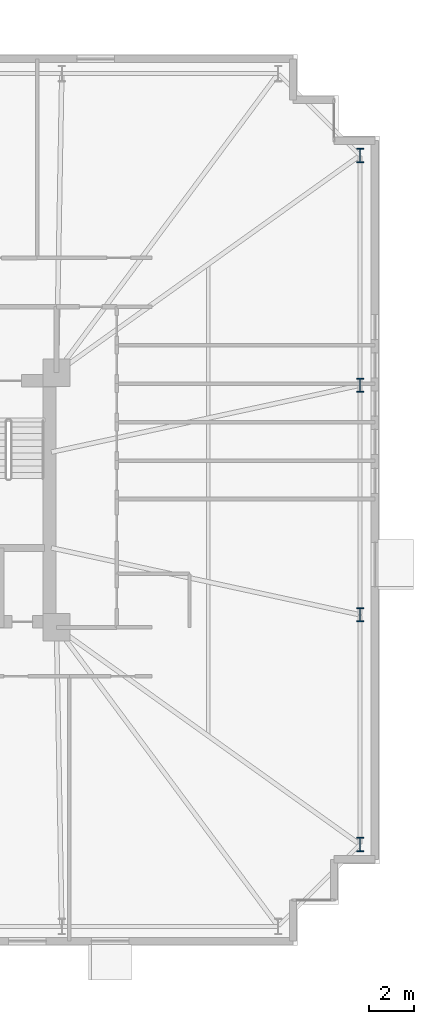
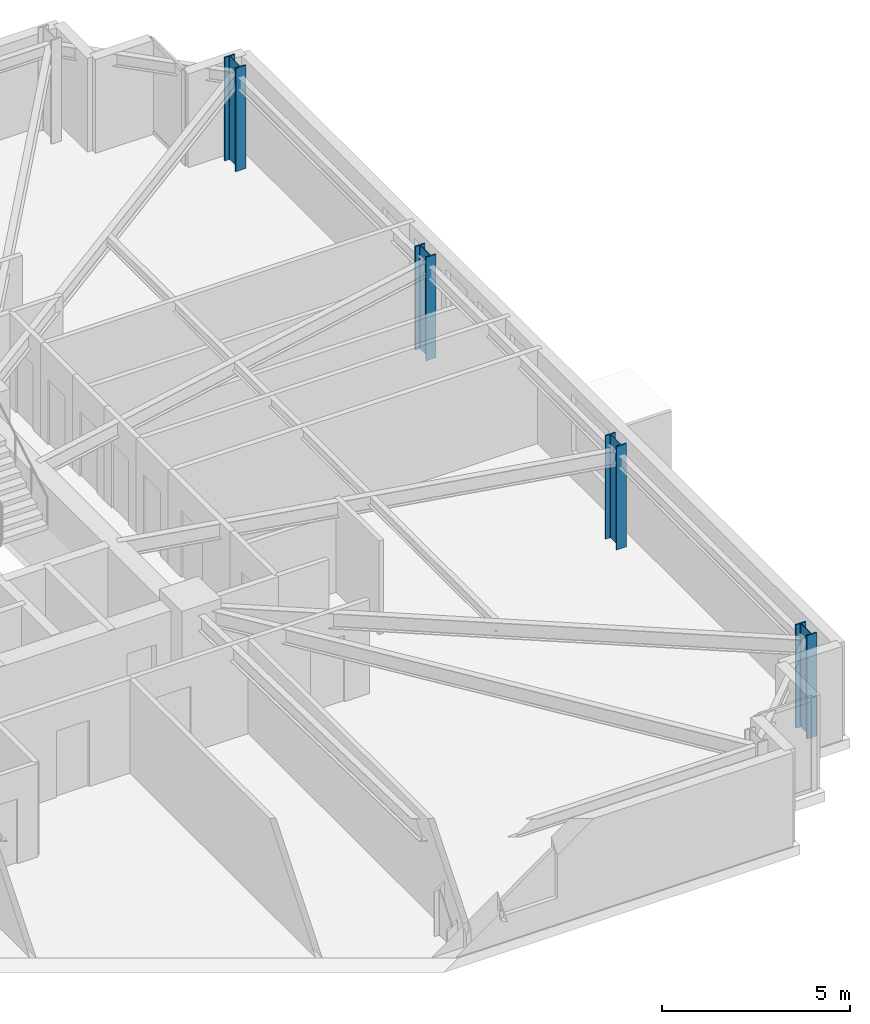
# One storey, part 3 of 21: 4 columns.
"""IFC4 building model written with IfcOpenShell, lengths in metres."""

from ifc_helpers import new_model, si_unit, direction, frame, origin, origin_2d, place, context, subcontext, project, spatial, i_section, extrude, material, material_profile, profile_set, type_object, element, save


model = new_model("IFC4")

# Units and contexts
model_context = context("Model", 3, precision=1e-05, world=origin(), true_north=direction((0.0, 1.0)))
body_context = subcontext(model_context, "Body", "Model", "MODEL_VIEW")
ifc_project = project(units=[si_unit("LENGTHUNIT", "METRE"), si_unit("AREAUNIT", "SQUARE_METRE"), si_unit("VOLUMEUNIT", "CUBIC_METRE"), si_unit("PLANEANGLEUNIT", "RADIAN"), si_unit("MASSUNIT", "GRAM", prefix="KILO")], contexts=[model_context])

# Site, building, storey
site_placement = place(None, origin())
site = spatial("IfcSite", under=ifc_project, at=site_placement, CompositionType="ELEMENT")
building_placement = place(site_placement, origin())
building = spatial("IfcBuilding", under=site, at=building_placement, Name="Qobustan Lattice House", CompositionType="ELEMENT")
storey_placement = place(building_placement, frame((0.0, 0.0, 57.14990234375)))
storey = spatial("IfcBuildingStorey", under=building, at=storey_placement, Name="L15", CompositionType="ELEMENT", Elevation=57.14990234375)

# Columns
ifc_material = material(Name="Steel S460", Category="steel")
ifc_material_profile = material_profile(ifc_material, i_section(OverallWidth=0.304931640625, OverallDepth=0.6201171875, WebThickness=0.02099609375, FlangeThickness=0.0400390625, FilletRadius=0.027099609375, at=origin_2d()), Name="HEM600")
ifc_profile_set = profile_set([ifc_material_profile], Name="Steel S460")
column_type = type_object("IfcColumnType", Name="COL-ST-HEM600", PredefinedType="COLUMN", material=ifc_profile_set)
for number, where, z_axis, x_axis, name in (
    (1, (32.14990234375, -15.14990234375, 0.0), (0.0, 0.0, 1.0), (1.0, 0.0, 0.0), "L15 B1 perimeter column E1"),
    (2, (32.14990234375, -5.050048828125, 0.0), (0.0, 0.0, 1.0), (1.0, 0.0, 0.0), "L15 B1 perimeter column E2"),
    (3, (32.14990234375, 5.050048828125, 0.0), (0.0, 0.0, 1.0), (1.0, 0.0, 0.0), "L15 B1 perimeter column E3"),
    (4, (32.14990234375, 15.14990234375, 0.0), (0.0, 0.0, 1.0), (1.0, 0.0, 0.0), "L15 B1 perimeter column E4"),
):
    element("IfcColumn", number, at=place(storey_placement, frame(where, z_axis=z_axis, x_axis=x_axis)), inside=storey, type_object=column_type, Name=name, PredefinedType="COLUMN", context=body_context, shape_type="SweptSolid", body=[
        extrude(i_section(OverallWidth=0.304931640625, OverallDepth=0.6201171875, WebThickness=0.02099609375, FlangeThickness=0.0400390625, FilletRadius=0.027099609375, at=origin_2d()), origin(), (0.0, 0.0, 1.0), 3.35009765625),
    ])

save(model, "model.ifc")
